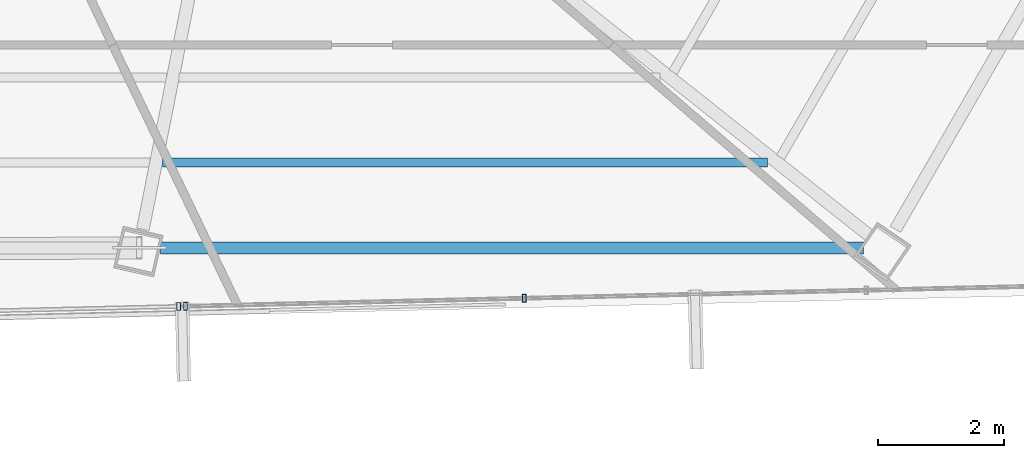
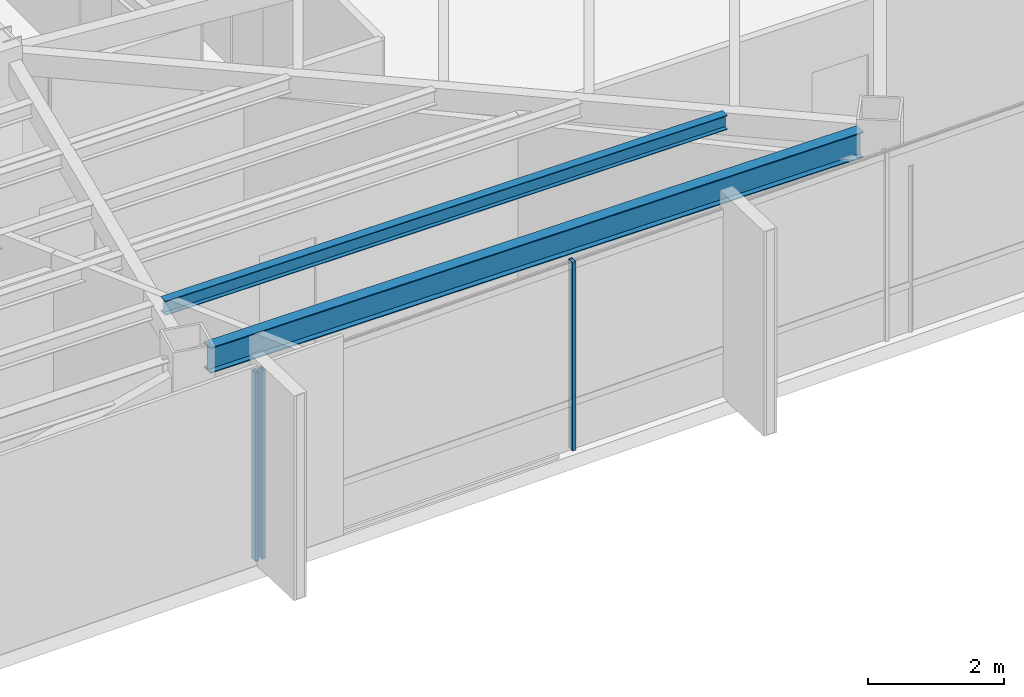
# One storey, part 19 of 46: 3 members, 2 beams, 2 elements without a shape of their own.
"""IFC4 building model written with IfcOpenShell, lengths in metres."""

from ifc_helpers import new_model, si_unit, direction, frame, origin, origin_2d, place, context, subcontext, project, spatial, hollow_rectangle, i_section, extrude, source, transform, mapped, material, material_profile, profile_set, type_object, type_shapes, element, aggregate, save


model = new_model("IFC4")

# Units and contexts
model_context = context("Model", 3, precision=1e-05, world=origin(), true_north=direction((0.0, 1.0)))
body_context = subcontext(model_context, "Body", "Model", "MODEL_VIEW")
ifc_project = project(units=[si_unit("LENGTHUNIT", "METRE"), si_unit("AREAUNIT", "SQUARE_METRE"), si_unit("VOLUMEUNIT", "CUBIC_METRE"), si_unit("PLANEANGLEUNIT", "RADIAN"), si_unit("MASSUNIT", "GRAM", prefix="KILO")], contexts=[model_context])

# Site, building, storey
site_placement = place(None, origin())
site = spatial("IfcSite", under=ifc_project, at=site_placement, CompositionType="ELEMENT")
building_placement = place(site_placement, origin())
building = spatial("IfcBuilding", under=site, at=building_placement, Name="Caelisora Broadcast Tower", CompositionType="ELEMENT")
storey_placement = place(building_placement, frame((0.0, 0.0, 251.75)))
storey = spatial("IfcBuildingStorey", under=building, at=storey_placement, Name="L66", CompositionType="ELEMENT", Elevation=251.75)

# Beams
ifc_material_1 = material(Name="Steel Grade 350 (AS/NZS 3679.1)", Category="steel")
ifc_material_profile_1 = material_profile(ifc_material_1, i_section(OverallWidth=0.19091796875, OverallDepth=0.46044921875, WebThickness=0.010009765625, FlangeThickness=0.01611328125, at=origin_2d()), Name="Steel Grade 350 (AS/NZS 3679.1)")
ifc_profile_set_1 = profile_set([ifc_material_profile_1], Name="Steel Grade 350 (AS/NZS 3679.1)")
beam_type_1 = type_object("IfcBeamType", Name="PG06", PredefinedType="BEAM", material=ifc_profile_set_1)
shared_shape_1 = source(origin(), body_context, "Body", "SweptSolid", [
    extrude(i_section(OverallWidth=0.19091796875, OverallDepth=0.46044921875, WebThickness=0.010009765625, FlangeThickness=0.01611328125, at=origin_2d()), origin(), (0.0, 0.0, 1.0), 11.124267578125),
])
type_shapes(beam_type_1, [shared_shape_1])
beam_1_placement = place(storey_placement, frame((44.238037109375, 9.31201171875, 3.169921875), z_axis=(1.0, 0.0, 0.0), x_axis=(0.0, 1.0, 0.0)))
element("IfcBeam", 1, at=beam_1_placement, inside=storey, type_object=beam_type_1, Name="L66 beam PG06", PredefinedType="BEAM", context=body_context, shape_type="MappedRepresentation", body=[
    mapped(shared_shape_1, transform((0.0, 0.0, 0.0), scale=1.0)),
])
ifc_material_profile_2 = material_profile(ifc_material_1, i_section(OverallWidth=0.14599609375, OverallDepth=0.256103515625, WebThickness=0.00634765625, FlangeThickness=0.010986328125, at=origin_2d()), Name="Steel Grade 350 (AS/NZS 3679.1)")
ifc_profile_set_2 = profile_set([ifc_material_profile_2], Name="Steel Grade 350 (AS/NZS 3679.1)")
beam_type_2 = type_object("IfcBeamType", Name="SB04", PredefinedType="JOIST", material=ifc_profile_set_2)
shared_shape_2 = source(origin(), body_context, "Body", "SweptSolid", [
    extrude(i_section(OverallWidth=0.14599609375, OverallDepth=0.256103515625, WebThickness=0.00634765625, FlangeThickness=0.010986328125, at=origin_2d()), origin(), (0.0, 0.0, 1.0), 9.57666015625),
])
type_shapes(beam_type_2, [shared_shape_2])
beam_2_placement = place(storey_placement, frame((44.265625, 10.66015625, 3.27197265625), z_axis=(1.0, 0.0, 0.0), x_axis=(0.0, 1.0, 0.0)))
element("IfcBeam", 2, at=beam_2_placement, inside=storey, type_object=beam_type_2, Name="L66 beam SB04", PredefinedType="JOIST", context=body_context, shape_type="MappedRepresentation", body=[
    mapped(shared_shape_2, transform((0.0, 0.0, 0.0), scale=1.0)),
])

# Curtain wall, members
ifc_material_2 = material(Name="Unitised Aluminium and Low-E Glass Curtain Wall", Category="glass")
curtain_wall_type_1 = type_object("IfcCurtainWallType", Name="CW-Z5", PredefinedType="NOTDEFINED", material=ifc_material_2)
curtain_wall_1_placement = place(storey_placement, origin())
curtain_wall_1 = element("IfcCurtainWall", 3, at=curtain_wall_1_placement, inside=storey, type_object=curtain_wall_type_1, Name="L66 curtain wall CW-Z5", PredefinedType="NOTDEFINED")
ifc_material_3 = material(Name="Aluminium 6063-T6 Anodised Terracotta Bronze", Category="aluminium")
ifc_material_profile_3 = material_profile(ifc_material_3, hollow_rectangle(XDim=0.06005859375, YDim=0.1201171875, WallThickness=0.0029296875, at=origin_2d()), Name="Aluminium 6063-T6 Anodised Terracotta Bronze")
ifc_profile_set_3 = profile_set([ifc_material_profile_3], Name="Aluminium 6063-T6 Anodised Terracotta Bronze")
member_type = type_object("IfcMemberType", Name="CWM-04", PredefinedType="MULLION", material=ifc_profile_set_3)
shared_shape_3 = source(origin(), body_context, "Body", "SweptSolid", [
    extrude(hollow_rectangle(XDim=0.06005859375, YDim=0.1201171875, WallThickness=0.0029296875, at=origin_2d()), origin(), (0.0, 0.0, 1.0), 3.39990234375),
])
type_shapes(member_type, [shared_shape_3])
member_1_placement = place(storey_placement, frame((49.994384765625, 8.51318359375, 0.0), z_axis=(0.0, 0.0, 1.0), x_axis=(1.0, 0.0, 0.0)))
member_1 = element("IfcMember", 4, at=member_1_placement, type_object=member_type, Name="L66-CW-B05 mullion #2", PredefinedType="MULLION", context=body_context, shape_type="MappedRepresentation", body=[
    mapped(shared_shape_3, transform((0.0, 0.0, 0.0), scale=1.0)),
])
member_2_placement = place(storey_placement, frame((44.634033203125, 8.386962890625, 0.0), z_axis=(0.0, 0.0, 1.0), x_axis=(1.0, 0.0, 0.0)))
member_2 = element("IfcMember", 5, at=member_2_placement, type_object=member_type, Name="L66-CW-B05 mullion #3", PredefinedType="MULLION", context=body_context, shape_type="MappedRepresentation", body=[
    mapped(shared_shape_3, transform((0.0, 0.0, 0.0), scale=1.0)),
])
aggregate(curtain_wall_1, [member_1, member_2])

# Curtain wall, member
ifc_material_4 = material(Name="Unitised Aluminium Insulated Shadow-Box Spandrel Curtain Wall", Category="aluminium")
curtain_wall_type_2 = type_object("IfcCurtainWallType", Name="CW-SP3", PredefinedType="NOTDEFINED", material=ifc_material_4)
curtain_wall_2_placement = place(storey_placement, origin())
curtain_wall_2 = element("IfcCurtainWall", 6, at=curtain_wall_2_placement, inside=storey, type_object=curtain_wall_type_2, Name="L66 curtain wall CW-SP3", PredefinedType="NOTDEFINED")
member_3_placement = place(storey_placement, frame((44.52392578125, 8.384521484375, 0.0), z_axis=(0.0, 0.0, 1.0), x_axis=(1.0, 0.0, 0.0)))
member_3 = element("IfcMember", 7, at=member_3_placement, type_object=member_type, Name="L66-CW-B06 mullion #0", PredefinedType="MULLION", context=body_context, shape_type="MappedRepresentation", body=[
    mapped(shared_shape_3, transform((0.0, 0.0, 0.0), scale=1.0)),
])
aggregate(curtain_wall_2, [member_3])

save(model, "model.ifc")
